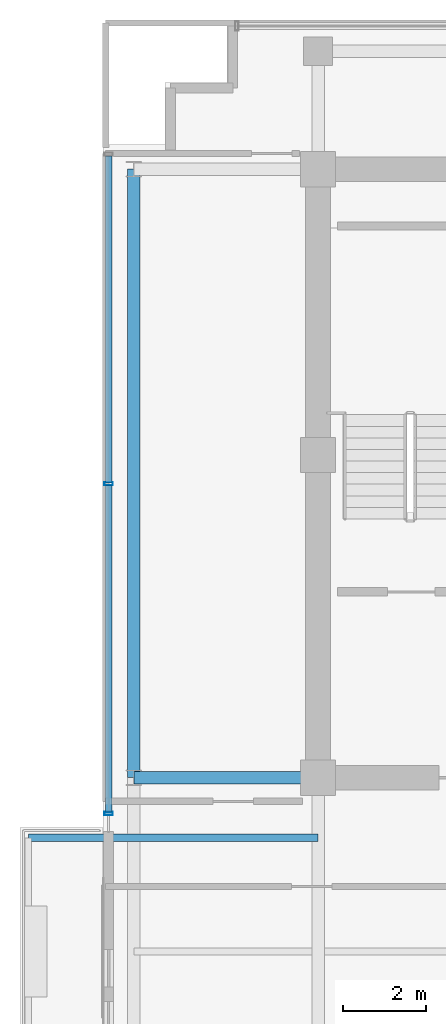
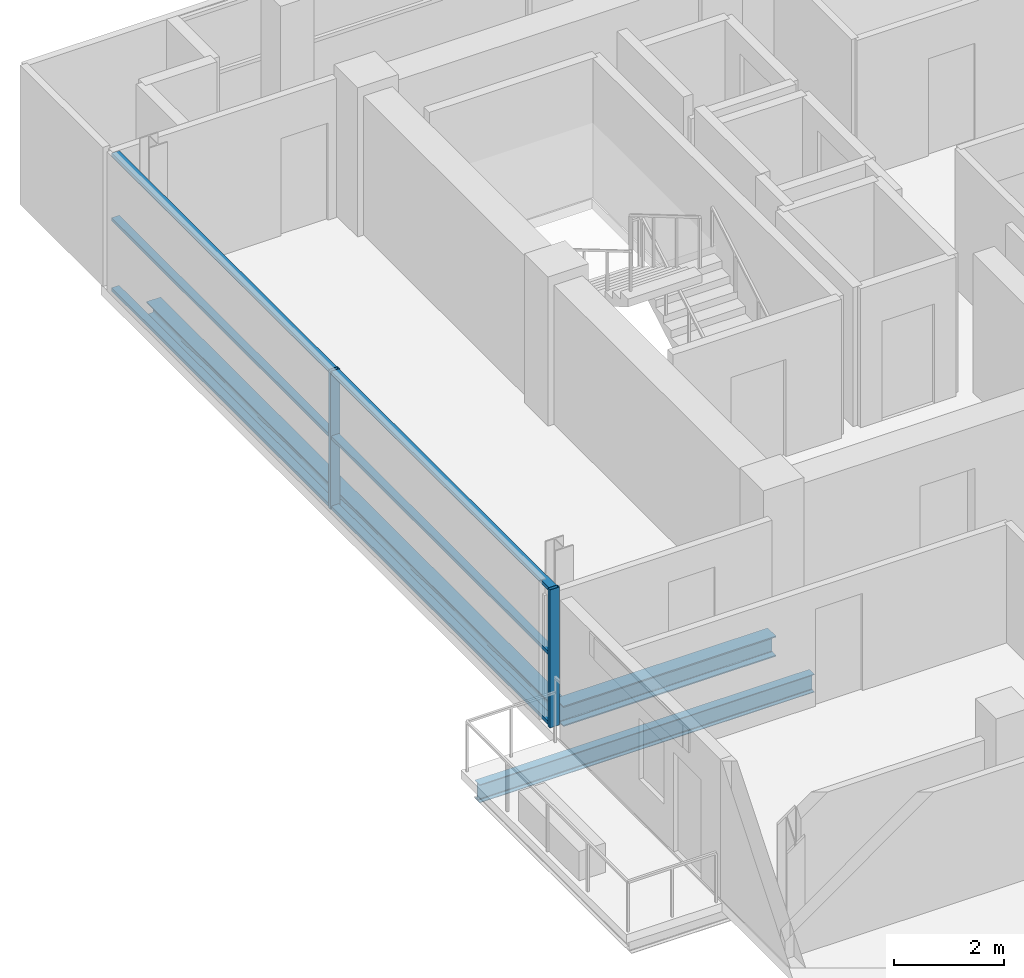
# One storey, part 5 of 21: 8 members, 3 beams, 1 element without a shape of its own.
"""IFC4 building model written with IfcOpenShell, lengths in metres."""

from ifc_helpers import new_model, si_unit, direction, frame, origin, origin_2d, place, context, subcontext, project, spatial, hollow_rectangle, i_section, extrude, source, transform, mapped, material, layer, layer_set, material_profile, profile_set, type_object, element, aggregate, save


model = new_model("IFC4")

# Units and contexts
model_context = context("Model", 3, precision=1e-05, world=origin(), true_north=direction((0.0, 1.0)))
body_context = subcontext(model_context, "Body", "Model", "MODEL_VIEW")
ifc_project = project(units=[si_unit("LENGTHUNIT", "METRE"), si_unit("AREAUNIT", "SQUARE_METRE"), si_unit("VOLUMEUNIT", "CUBIC_METRE"), si_unit("PLANEANGLEUNIT", "RADIAN"), si_unit("MASSUNIT", "GRAM", prefix="KILO")], contexts=[model_context])

# Site, building, storey
site_placement = place(None, origin())
site = spatial("IfcSite", under=ifc_project, at=site_placement, CompositionType="ELEMENT")
building_placement = place(site_placement, origin())
building = spatial("IfcBuilding", under=site, at=building_placement, Name="Zarnakvel Exchange Tower", CompositionType="ELEMENT")
storey_placement = place(building_placement, frame((0.0, 0.0, 241.89990234375)))
storey = spatial("IfcBuildingStorey", under=building, at=storey_placement, Name="L68", CompositionType="ELEMENT", Elevation=241.89990234375)

# Beams
ifc_material_1 = material(Name="Steel S355", Category="steel")
ifc_material_profile_1 = material_profile(ifc_material_1, i_section(OverallWidth=0.179931640625, OverallDepth=0.39990234375, WebThickness=0.008544921875, FlangeThickness=0.013427734375, FilletRadius=0.02099609375, at=origin_2d()))
ifc_profile_set_1 = profile_set([ifc_material_profile_1], Name="Steel S355")
beam_type_1 = type_object("IfcBeamType", Name="B-06", PredefinedType="JOIST", material=ifc_profile_set_1)
beam_1_placement = place(storey_placement, frame((-14.39990234375, -2.64990234375, -0.4248046875), z_axis=(-1.0, 0.0, 0.0), x_axis=(0.0, -1.0, 0.0)))
element("IfcBeam", 1, at=beam_1_placement, inside=storey, type_object=beam_type_1, Name="L68 Continuous West Loggia Beam N", PredefinedType="JOIST", context=body_context, shape_type="SweptSolid", body=[
    extrude(i_section(OverallWidth=0.179931640625, OverallDepth=0.39990234375, WebThickness=0.008544921875, FlangeThickness=0.013427734375, FilletRadius=0.02099609375, at=origin_2d()), origin(), (0.0, 0.0, 1.0), 7.0),
])
ifc_material_profile_2 = material_profile(ifc_material_1, i_section(OverallWidth=0.300048828125, OverallDepth=0.449951171875, WebThickness=0.013916015625, FlangeThickness=0.02587890625, FilletRadius=0.027099609375, at=origin_2d()))
ifc_profile_set_2 = profile_set([ifc_material_profile_2], Name="Steel S355")
beam_type_2 = type_object("IfcBeamType", Name="G-07", PredefinedType="BEAM", material=ifc_profile_set_2)
beam_2_placement = place(storey_placement, frame((-18.85009765625, -1.199951171875, -0.449951171875), z_axis=(1.0, 0.0, 0.0), x_axis=(0.0, 1.0, 0.0)))
element("IfcBeam", 2, at=beam_2_placement, inside=storey, type_object=beam_type_2, Name="L68 Tower E-W Frame Beam", PredefinedType="BEAM", context=body_context, shape_type="SweptSolid", body=[
    extrude(i_section(OverallWidth=0.300048828125, OverallDepth=0.449951171875, WebThickness=0.013916015625, FlangeThickness=0.02587890625, FilletRadius=0.027099609375, at=origin_2d()), origin(), (0.0, 0.0, 1.0), 4.4501953125),
])
ifc_material_profile_3 = material_profile(ifc_material_1, i_section(OverallWidth=0.300048828125, OverallDepth=0.300048828125, WebThickness=0.010986328125, FlangeThickness=0.01904296875, FilletRadius=0.027099609375, at=origin_2d()))
ifc_profile_set_3 = profile_set([ifc_material_profile_3], Name="Steel S355")
beam_type_3 = type_object("IfcBeamType", Name="SP-03", PredefinedType="SPANDREL", material=ifc_profile_set_3)
beam_3_placement = place(storey_placement, frame((-18.85009765625, -1.199951171875, -0.375), z_axis=(0.0, 1.0, 0.0), x_axis=(-1.0, 0.0, 0.0)))
element("IfcBeam", 3, at=beam_3_placement, inside=storey, type_object=beam_type_3, Name="L68 Tower N-S Frame Beam", PredefinedType="SPANDREL", context=body_context, shape_type="SweptSolid", body=[
    extrude(i_section(OverallWidth=0.300048828125, OverallDepth=0.300048828125, WebThickness=0.010986328125, FlangeThickness=0.01904296875, FilletRadius=0.027099609375, at=origin_2d()), origin(), (0.0, 0.0, 1.0), 14.699951171875),
])

# Curtain wall, members
ifc_material_2 = material(Name="Architectural Bronze Anodised Aluminium", Category="aluminium")
ifc_layer = layer(ifc_material_2, 0.199951171875)
ifc_layer_set = layer_set([ifc_layer], Name="Architectural Bronze Anodised Aluminium")
curtain_wall_type = type_object("IfcCurtainWallType", Name="CW-04", PredefinedType="NOTDEFINED", material=ifc_layer_set)
curtain_wall_placement = place(storey_placement, origin())
curtain_wall = element("IfcCurtainWall", 4, at=curtain_wall_placement, inside=storey, type_object=curtain_wall_type, Name="L68 Curtain Wall CW-L68-WN (CW-04)", PredefinedType="NOTDEFINED")
ifc_material_profile_4 = material_profile(ifc_material_2, hollow_rectangle(XDim=0.199951171875, YDim=0.074951171875, WallThickness=0.0048828125, at=origin_2d()))
ifc_profile_set_4 = profile_set([ifc_material_profile_4], Name="Architectural Bronze Anodised Aluminium")
member_type_1 = type_object("IfcMemberType", Name="CWM-04", PredefinedType="MULLION", material=ifc_profile_set_4)
shared_shape_1 = source(origin(), body_context, "Body", "SweptSolid", [
    extrude(hollow_rectangle(XDim=0.199951171875, YDim=0.074951171875, WallThickness=0.0048828125, at=origin_2d()), origin(), (0.0, 0.0, 1.0), 3.05517578125),
])
member_1_placement = place(storey_placement, frame((-19.4599609375, -2.0625, 0.0), z_axis=(0.0, 0.0, 1.0), x_axis=(-1.0, 0.0, 0.0)))
member_1 = element("IfcMember", 5, at=member_1_placement, type_object=member_type_1, Name="CW-04 mullion 1", PredefinedType="MULLION", context=body_context, shape_type="MappedRepresentation", body=[
    mapped(shared_shape_1, transform((0.0, 0.0, 0.0), x_axis=(1.0, 0.0, 0.0), y_axis=(0.0, 1.0, 0.0), z_axis=(0.0, 0.0, 1.0), scale=1.0)),
])
member_2_placement = place(storey_placement, frame((-19.4599609375, 5.89990234375, 0.0), z_axis=(0.0, 0.0, 1.0), x_axis=(-1.0, 0.0, 0.0)))
member_2 = element("IfcMember", 6, at=member_2_placement, type_object=member_type_1, Name="CW-04 mullion 2", PredefinedType="MULLION", context=body_context, shape_type="MappedRepresentation", body=[
    mapped(shared_shape_1, transform((0.0, 0.0, 0.0), x_axis=(1.0, 0.0, 0.0), y_axis=(0.0, 1.0, 0.0), z_axis=(0.0, 0.0, 1.0), scale=1.0)),
])
ifc_material_profile_5 = material_profile(ifc_material_2, hollow_rectangle(XDim=0.159912109375, YDim=0.074951171875, WallThickness=0.00390625, at=origin_2d()))
ifc_profile_set_5 = profile_set([ifc_material_profile_5], Name="Architectural Bronze Anodised Aluminium")
member_type_2 = type_object("IfcMemberType", Name="CWT-04", PredefinedType="USERDEFINED", material=ifc_profile_set_5)
shared_shape_2 = source(origin(), body_context, "Body", "SweptSolid", [
    extrude(hollow_rectangle(XDim=0.159912109375, YDim=0.074951171875, WallThickness=0.00390625, at=origin_2d()), origin(), (0.0, 0.0, 1.0), 7.887451171875),
])
member_3_placement = place(storey_placement, frame((-19.4599609375, -2.02490234375, 0.03759765625), z_axis=(0.0, 1.0, 0.0), x_axis=(-1.0, 0.0, 0.0)))
member_3 = element("IfcMember", 7, at=member_3_placement, type_object=member_type_2, Name="CW-04 transom 1.1", ObjectType="TRANSOM", PredefinedType="USERDEFINED", context=body_context, shape_type="MappedRepresentation", body=[
    mapped(shared_shape_2, transform((0.0, 0.0, 0.0), x_axis=(1.0, 0.0, 0.0), y_axis=(0.0, 1.0, 0.0), z_axis=(0.0, 0.0, 1.0), scale=1.0)),
])
member_4_placement = place(storey_placement, frame((-19.4599609375, -2.02490234375, 1.588623046875), z_axis=(0.0, 1.0, 0.0), x_axis=(-1.0, 0.0, 0.0)))
member_4 = element("IfcMember", 8, at=member_4_placement, type_object=member_type_2, Name="CW-04 transom 1.2", ObjectType="TRANSOM", PredefinedType="USERDEFINED", context=body_context, shape_type="MappedRepresentation", body=[
    mapped(shared_shape_2, transform((0.0, 0.0, 0.0), x_axis=(1.0, 0.0, 0.0), y_axis=(0.0, 1.0, 0.0), z_axis=(0.0, 0.0, 1.0), scale=1.0)),
])
member_5_placement = place(storey_placement, frame((-19.4599609375, -2.02490234375, 3.017578125), z_axis=(0.0, 1.0, 0.0), x_axis=(-1.0, 0.0, 0.0)))
member_5 = element("IfcMember", 9, at=member_5_placement, type_object=member_type_2, Name="CW-04 transom 1.3", ObjectType="TRANSOM", PredefinedType="USERDEFINED", context=body_context, shape_type="MappedRepresentation", body=[
    mapped(shared_shape_2, transform((0.0, 0.0, 0.0), x_axis=(1.0, 0.0, 0.0), y_axis=(0.0, 1.0, 0.0), z_axis=(0.0, 0.0, 1.0), scale=1.0)),
])
member_6_placement = place(storey_placement, frame((-19.4599609375, 5.9375, 0.03759765625), z_axis=(0.0, 1.0, 0.0), x_axis=(-1.0, 0.0, 0.0)))
member_6 = element("IfcMember", 10, at=member_6_placement, type_object=member_type_2, Name="CW-04 transom 2.1", ObjectType="TRANSOM", PredefinedType="USERDEFINED", context=body_context, shape_type="MappedRepresentation", body=[
    mapped(shared_shape_2, transform((0.0, 0.0, 0.0), x_axis=(1.0, 0.0, 0.0), y_axis=(0.0, 1.0, 0.0), z_axis=(0.0, 0.0, 1.0), scale=1.0)),
])
member_7_placement = place(storey_placement, frame((-19.4599609375, 5.9375, 1.588623046875), z_axis=(0.0, 1.0, 0.0), x_axis=(-1.0, 0.0, 0.0)))
member_7 = element("IfcMember", 11, at=member_7_placement, type_object=member_type_2, Name="CW-04 transom 2.2", ObjectType="TRANSOM", PredefinedType="USERDEFINED", context=body_context, shape_type="MappedRepresentation", body=[
    mapped(shared_shape_2, transform((0.0, 0.0, 0.0), x_axis=(1.0, 0.0, 0.0), y_axis=(0.0, 1.0, 0.0), z_axis=(0.0, 0.0, 1.0), scale=1.0)),
])
member_8_placement = place(storey_placement, frame((-19.4599609375, 5.9375, 3.017578125), z_axis=(0.0, 1.0, 0.0), x_axis=(-1.0, 0.0, 0.0)))
member_8 = element("IfcMember", 12, at=member_8_placement, type_object=member_type_2, Name="CW-04 transom 2.3", ObjectType="TRANSOM", PredefinedType="USERDEFINED", context=body_context, shape_type="MappedRepresentation", body=[
    mapped(shared_shape_2, transform((0.0, 0.0, 0.0), x_axis=(1.0, 0.0, 0.0), y_axis=(0.0, 1.0, 0.0), z_axis=(0.0, 0.0, 1.0), scale=1.0)),
])
aggregate(curtain_wall, [member_1, member_2, member_3, member_4, member_5, member_6, member_7, member_8])

save(model, "model.ifc")
